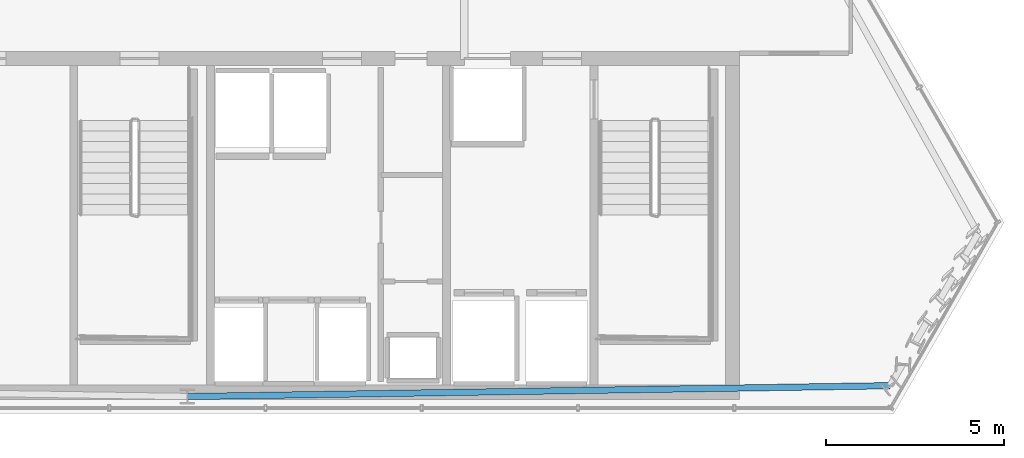
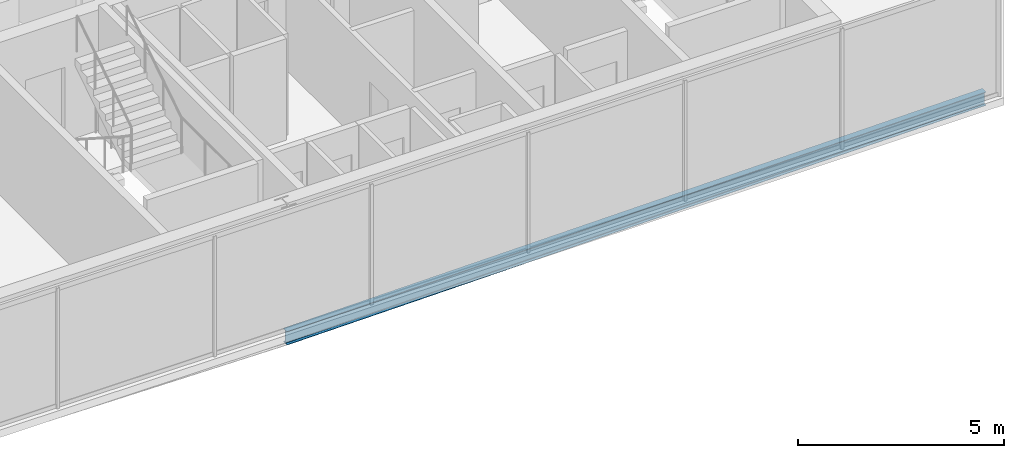
# One storey, part 18 of 32: 1 beam.
"""IFC4 building model written with IfcOpenShell, lengths in metres."""

import ifcopenshell
import ifcopenshell.guid

model = None  # the IFC model being written
_history = None  # IfcOwnerHistory: only IFC2X3 demands one
_inside = {}  # id of a spatial element -> (the spatial element, [elements in it])
_under = {}  # id of a project, library or spatial element -> (it, [spatial elements below it])
_declared = {}  # id of a project -> (the project, [libraries it declares])
_typed = {}  # id of a type object -> (the type object, [elements of that type])
_made_of = {}  # id of a material, layer set ... -> (it, [elements and type objects made of it])


def new_model(schema):
    """Start an empty IFC model of exactly this schema.

    Asked for "IFC4X3", IfcOpenShell would pick the latest addendum, in which some entities
    have other attributes; the version numbers below select the first issue.
    IFC2X3 requires an IfcOwnerHistory on every rooted entity: one is made here for all.
    """
    global model, _history
    if schema == "IFC4X3":
        model = ifcopenshell.file(schema_version=(4, 3, 0, 0))
    else:
        model = ifcopenshell.file(schema=schema)
    _inside.clear()
    _under.clear()
    _declared.clear()
    _typed.clear()
    _made_of.clear()
    _history = None
    if model.schema == "IFC2X3":
        org = make("IfcOrganization", Name="unknown")
        user = make(
            "IfcPersonAndOrganization",
            ThePerson=make("IfcPerson", FamilyName="unknown"),
            TheOrganization=org,
        )
        app = make(
            "IfcApplication",
            ApplicationDeveloper=org,
            Version="unknown",
            ApplicationFullName="unknown",
            ApplicationIdentifier="unknown",
        )
        _history = make(
            "IfcOwnerHistory",
            OwningUser=user,
            OwningApplication=app,
            ChangeAction="ADDED",
            CreationDate=0,
        )
    return model


def make(cls, **values):
    """One entity of the class cls with the attributes given. An attribute that is None is left unset."""
    return model.create_entity(
        cls, **{name: value for name, value in values.items() if value is not None}
    )


def rooted(cls, **values):
    """An entity with a GlobalId (a new one), such as an element, a storey or a relation."""
    return make(cls, GlobalId=ifcopenshell.guid.new(), OwnerHistory=_history, **values)


def si_unit(unit_type, name, prefix=None):
    """IfcSIUnit, for example si_unit("LENGTHUNIT", "METRE", prefix="MILLI")."""
    return make("IfcSIUnit", UnitType=unit_type, Prefix=prefix, Name=name)


def assignment(units):
    """IfcUnitAssignment: the units of a project."""
    return None if units is None else make("IfcUnitAssignment", Units=units)


def point(xyz):
    """IfcCartesianPoint."""
    return None if xyz is None else make("IfcCartesianPoint", Coordinates=xyz)


def direction(xyz):
    """IfcDirection."""
    return None if xyz is None else make("IfcDirection", DirectionRatios=xyz)


def frame(location, z_axis=None, x_axis=None):
    """IfcAxis2Placement3D, a coordinate frame: its origin and axes. An axis left out is left unset."""
    return make(
        "IfcAxis2Placement3D",
        Location=point(location),
        Axis=direction(z_axis),
        RefDirection=direction(x_axis),
    )


def frame_2d(location, x_axis=None):
    """IfcAxis2Placement2D, a coordinate frame in the plane: its origin and x axis."""
    return make(
        "IfcAxis2Placement2D", Location=point(location), RefDirection=direction(x_axis)
    )


def origin():
    """The frame at (0, 0, 0) with its axes left unset."""
    return frame((0.0, 0.0, 0.0))


def origin_2d():
    """The frame at (0, 0) in the plane with its x axis left unset."""
    return frame_2d((0.0, 0.0))


def place(relative_to, where):
    """IfcLocalPlacement: puts the frame where relative to a parent placement (None: the world)."""
    return make(
        "IfcLocalPlacement", PlacementRelTo=relative_to, RelativePlacement=where
    )


def context(
    kind, dimensions, precision=None, world=None, true_north=None, identifier=None
):
    """IfcGeometricRepresentationContext, for example the 3D "Model" context."""
    return make(
        "IfcGeometricRepresentationContext",
        ContextIdentifier=identifier,
        ContextType=kind,
        CoordinateSpaceDimension=dimensions,
        Precision=precision,
        WorldCoordinateSystem=world,
        TrueNorth=true_north,
    )


def subcontext(parent, identifier, kind, view, scale=None):
    """IfcGeometricRepresentationSubContext, for example "Body" below "Model"."""
    return make(
        "IfcGeometricRepresentationSubContext",
        ContextIdentifier=identifier,
        ContextType=kind,
        ParentContext=parent,
        TargetScale=scale,
        TargetView=view,
    )


def project(units=None, contexts=None):
    """IfcProject with its units and contexts."""
    return rooted(
        "IfcProject",
        Name="project",
        RepresentationContexts=contexts,
        UnitsInContext=assignment(units),
    )


def spatial(cls, under=None, at=None, **own):
    """A site, building, storey or space (cls), placed at a placement, below another one or the project."""
    s = rooted(cls, ObjectPlacement=at, **own)
    if under is not None:
        _under.setdefault(under.id(), (under, []))[1].append(s)
    return s


def profile(cls, at=None, kind="AREA", **sizes):
    """A parametric profile (cls). Its sizes go by their IFC names, for example OverallWidth=200.0."""
    return make(cls, ProfileType=kind, Position=at, **sizes)


def i_section(**sizes):
    """IfcIShapeProfileDef."""
    return profile("IfcIShapeProfileDef", **sizes)


def extrude(swept, where, along, depth):
    """IfcExtrudedAreaSolid: the profile swept, set in the frame where, extruded along a direction by depth."""
    return make(
        "IfcExtrudedAreaSolid",
        SweptArea=swept,
        Position=where,
        ExtrudedDirection=direction(along),
        Depth=depth,
    )


def shape(context_of_items, identifier, shape_type, items):
    """IfcShapeRepresentation: the items that make up one representation, for example the "Body"."""
    return make(
        "IfcShapeRepresentation",
        ContextOfItems=context_of_items,
        RepresentationIdentifier=identifier,
        RepresentationType=shape_type,
        Items=items,
    )


def material(Name=None, Category=None):
    """IfcMaterial."""
    return make("IfcMaterial", Name=Name, Category=Category)


def material_profile(
    of_material, cross_section, Name=None, Category=None, Priority=None
):
    """IfcMaterialProfile: a cross section and its material."""
    return make(
        "IfcMaterialProfile",
        Name=Name,
        Material=of_material,
        Profile=cross_section,
        Priority=Priority,
        Category=Category,
    )


def profile_set(profiles, Name=None, composite=None):
    """IfcMaterialProfileSet."""
    return make(
        "IfcMaterialProfileSet",
        Name=Name,
        MaterialProfiles=profiles,
        CompositeProfile=composite,
    )


def made_of(thing, what):
    """Note that an element or type object is made of a material, layer set ...; save() writes the relation."""
    if what is not None:
        _made_of.setdefault(what.id(), (what, []))[1].append(thing)
    return thing


def type_object(cls, material=None, **own):
    """A type object (cls), such as IfcWallType, which elements share."""
    return made_of(rooted(cls, **own), material)


def element(
    cls,
    number,
    at=None,
    inside=None,
    cuts=None,
    type_object=None,
    material=None,
    context=None,
    identifier="Body",
    shape_type=None,
    held_by="IfcProductDefinitionShape",
    body=None,
    shapes=None,
    **own,
):
    """One element of the class cls, such as IfcWall. Its Tag is "e" and its number.

    at: its placement. inside: the storey or other place that contains it. cuts: it is an
    opening in that element (IfcRelVoidsElement). A single representation is given by context,
    identifier, shape_type and body (its items); several are given by shapes. held_by: the class
    of the entity that holds the representations. save() writes the other relations.
    """
    e = rooted(cls, Tag="e%d" % number, ObjectPlacement=at, **own)
    if body is not None:
        shapes = [shape(context, identifier, shape_type, body)]
    if shapes is not None:
        e.Representation = make(held_by, Representations=shapes)
    if inside is not None:
        _inside.setdefault(inside.id(), (inside, []))[1].append(e)
    if cuts is not None:
        rooted(
            "IfcRelVoidsElement", RelatingBuildingElement=cuts, RelatedOpeningElement=e
        )
    if type_object is not None:
        _typed.setdefault(type_object.id(), (type_object, []))[1].append(e)
    return made_of(e, material)


def aggregate(whole, parts):
    """IfcRelAggregates: a whole, such as a stair, and the parts it consists of."""
    return rooted("IfcRelAggregates", RelatingObject=whole, RelatedObjects=parts)


def save(model, path):
    """Write the relations noted so far, then the file.

    IfcRelAggregates (storeys below a building ...), IfcRelContainedInSpatialStructure (elements
    in a storey), IfcRelDefinesByType, IfcRelAssociatesMaterial and IfcRelDeclares: one each for
    every whole, place, type object, material and project.
    """
    for whole, parts in _under.values():
        aggregate(whole, parts)
    for where, things in _inside.values():
        rooted(
            "IfcRelContainedInSpatialStructure",
            RelatedElements=things,
            RelatingStructure=where,
        )
    for kind, things in _typed.values():
        rooted("IfcRelDefinesByType", RelatedObjects=things, RelatingType=kind)
    for what, things in _made_of.values():
        rooted("IfcRelAssociatesMaterial", RelatedObjects=things, RelatingMaterial=what)
    for by, libraries in _declared.values():
        rooted("IfcRelDeclares", RelatingContext=by, RelatedDefinitions=libraries)
    model.write(path)


model = new_model("IFC4")

# Units and contexts
model_context = context("Model", 3, precision=1e-05, world=origin(), true_north=direction((0.0, 1.0)))
body_context = subcontext(model_context, "Body", "Model", "MODEL_VIEW")
ifc_project = project(units=[si_unit("LENGTHUNIT", "METRE"), si_unit("AREAUNIT", "SQUARE_METRE"), si_unit("VOLUMEUNIT", "CUBIC_METRE"), si_unit("PLANEANGLEUNIT", "RADIAN"), si_unit("MASSUNIT", "GRAM", prefix="KILO")], contexts=[model_context])

# Site, building, storey
site_placement = place(None, origin())
site = spatial("IfcSite", under=ifc_project, at=site_placement, CompositionType="ELEMENT")
building_placement = place(site_placement, origin())
building = spatial("IfcBuilding", under=site, at=building_placement, Name="Ndaravel Arena Tower", CompositionType="ELEMENT")
storey_placement = place(building_placement, frame((0.0, 0.0, 259.800048828125)))
storey = spatial("IfcBuildingStorey", under=building, at=storey_placement, Name="L63", CompositionType="ELEMENT", Elevation=259.800048828125)

# Beam
ifc_material = material(Name="Steel S355", Category="steel")
ifc_material_profile = material_profile(ifc_material, i_section(OverallWidth=0.179931640625, OverallDepth=0.39990234375, WebThickness=0.008544921875, FlangeThickness=0.013427734375, FilletRadius=0.02099609375, at=origin_2d()), Name="IPE 400")
ifc_profile_set = profile_set([ifc_material_profile], Name="Steel S355")
beam_type = type_object("IfcBeamType", Name="BM-SPAN-IPE400", PredefinedType="SPANDREL", material=ifc_profile_set)
beam_placement = place(storey_placement, frame((42.0, 5.47998046875, -0.420166015625), z_axis=(0.999880419685, 0.015464356762, 0.0), x_axis=(-0.015464356762, 0.999880419685, 0.0)))
element("IfcBeam", 1, at=beam_placement, inside=storey, type_object=beam_type, Name="L63 Perimeter Spandrel Beam SP-01", PredefinedType="SPANDREL", context=body_context, shape_type="SweptSolid", body=[
    extrude(i_section(OverallWidth=0.179931640625, OverallDepth=0.39990234375, WebThickness=0.008544921875, FlangeThickness=0.013427734375, FilletRadius=0.02099609375, at=origin_2d()), origin(), (0.0, 0.0, 1.0), 19.79736328125),
])

save(model, "model.ifc")
